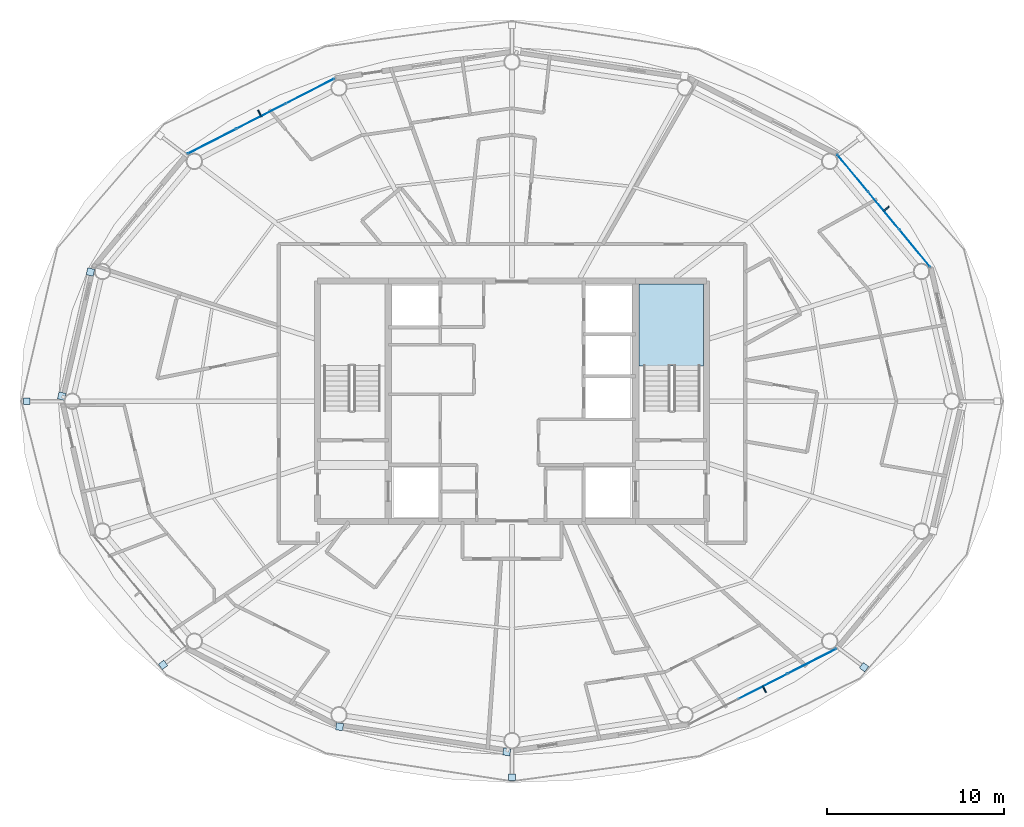
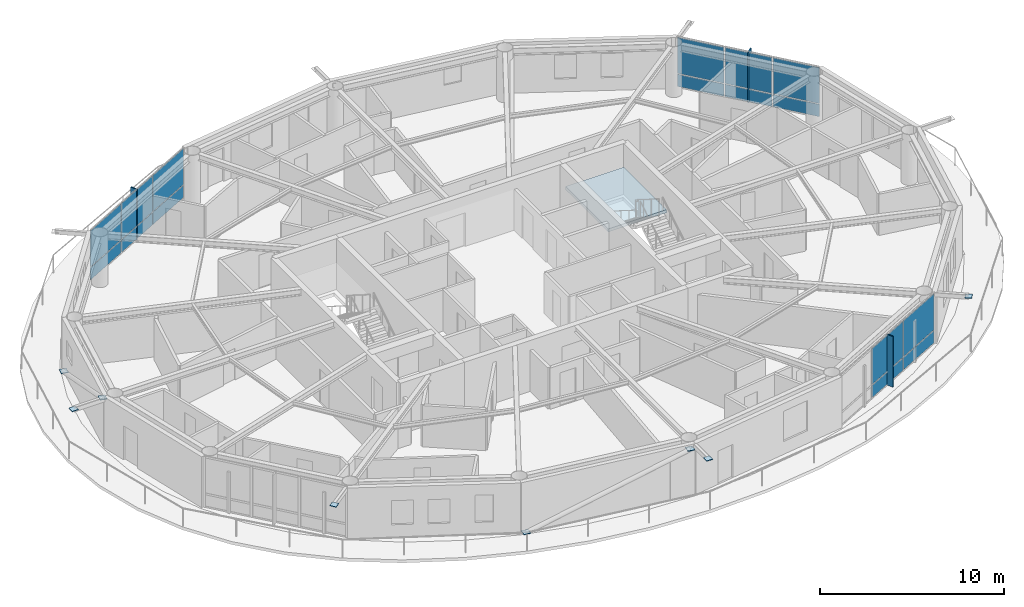
# One storey, part 14 of 22: 27 plates, 1 slab, 4 elements without a shape of their own.
"""IFC4 building model written with IfcOpenShell, lengths in metres."""

from ifc_helpers import new_model, si_unit, direction, frame, origin, origin_2d, place, context, subcontext, project, spatial, polyline, rectangle, outline, extrude, material, layer, layer_set, type_object, element, aggregate, save


model = new_model("IFC4")

# Units and contexts
model_context = context("Model", 3, precision=1e-05, world=origin(), true_north=direction((0.0, 1.0)))
body_context = subcontext(model_context, "Body", "Model", "MODEL_VIEW")
ifc_project = project(units=[si_unit("LENGTHUNIT", "METRE"), si_unit("AREAUNIT", "SQUARE_METRE"), si_unit("VOLUMEUNIT", "CUBIC_METRE"), si_unit("PLANEANGLEUNIT", "RADIAN"), si_unit("MASSUNIT", "GRAM", prefix="KILO")], contexts=[model_context])

# Site, building, storey
site_placement = place(None, origin())
site = spatial("IfcSite", under=ifc_project, at=site_placement, CompositionType="ELEMENT")
building_placement = place(site_placement, origin())
building = spatial("IfcBuilding", under=site, at=building_placement, Name="Sarneth Arch Tower", CompositionType="ELEMENT")
storey_placement = place(building_placement, frame((0.0, 0.0, 294.60009765625)))
storey = spatial("IfcBuildingStorey", under=building, at=storey_placement, Name="L76", CompositionType="ELEMENT", Elevation=294.60009765625)

# Curtain wall, plates
ifc_material_1 = material(Name="Anodised aluminium Type AA25 and solar-control low-e laminated IGU", Category="aluminium")
ifc_layer_1 = layer(ifc_material_1, 0.179931640625)
ifc_layer_set_1 = layer_set([ifc_layer_1], Name="Anodised aluminium Type AA25 and solar-control low-e laminated IGU")
curtain_wall_type = type_object("IfcCurtainWallType", Name="CW-RES-HIGH", PredefinedType="NOTDEFINED", material=ifc_layer_set_1)
curtain_wall_1_placement = place(storey_placement, origin())
curtain_wall_1 = element("IfcCurtainWall", 1, at=curtain_wall_1_placement, inside=storey, type_object=curtain_wall_type, Name="L76 Unitised curtain wall facet 02", PredefinedType="NOTDEFINED")
ifc_material_2 = material(Name="Solar-control low-e laminated IGU", Category="glass")
ifc_layer_2 = layer(ifc_material_2, 0.028076171875)
ifc_layer_set_2 = layer_set([ifc_layer_2], Name="Solar-control low-e laminated IGU")
plate_type_1 = type_object("IfcPlateType", Name="CW-PANEL", PredefinedType="CURTAIN_PANEL", material=ifc_layer_set_2)
plate_1_placement = place(storey_placement, frame((70.799072265625, 50.650634765625, 0.059814453125), z_axis=(0.0, 0.0, 1.0), x_axis=(-0.637610094184, 0.770359245933, 0.0)))
plate_1 = element("IfcPlate", 2, at=plate_1_placement, type_object=plate_type_1, Name="Curtain wall glazed vision pane CW-L76-F02/P00-00", PredefinedType="CURTAIN_PANEL", context=body_context, shape_type="SweptSolid", body=[
    extrude(rectangle(XDim=2.686767578125, YDim=0.028076171875, at=origin_2d()), origin(), (0.0, 0.0, 1.0), 0.81005859375),
])
plate_2_placement = place(storey_placement, frame((70.799072265625, 50.650634765625, 0.929931640625), z_axis=(0.0, 0.0, 1.0), x_axis=(-0.637610094184, 0.770359245933, 0.0)))
plate_2 = element("IfcPlate", 3, at=plate_2_placement, type_object=plate_type_1, Name="Curtain wall glazed vision pane CW-L76-F02/P00-01", PredefinedType="CURTAIN_PANEL", context=body_context, shape_type="SweptSolid", body=[
    extrude(rectangle(XDim=2.686767578125, YDim=0.028076171875, at=origin_2d()), origin(), (0.0, 0.0, 1.0), 2.3798828125),
])
plate_3_placement = place(storey_placement, frame((69.0380859375, 52.778076171875, 0.059814453125), z_axis=(0.0, 0.0, 1.0), x_axis=(-0.637610094184, 0.770359245933, 0.0)))
plate_3 = element("IfcPlate", 4, at=plate_3_placement, type_object=plate_type_1, Name="Curtain wall glazed vision pane CW-L76-F02/P01-00", PredefinedType="CURTAIN_PANEL", context=body_context, shape_type="SweptSolid", body=[
    extrude(rectangle(XDim=2.716552734375, YDim=0.028076171875, at=origin_2d()), origin(), (0.0, 0.0, 1.0), 0.81005859375),
])
plate_4_placement = place(storey_placement, frame((69.0380859375, 52.778076171875, 0.929931640625), z_axis=(0.0, 0.0, 1.0), x_axis=(-0.637610094184, 0.770359245933, 0.0)))
plate_4 = element("IfcPlate", 5, at=plate_4_placement, type_object=plate_type_1, Name="Curtain wall glazed vision pane CW-L76-F02/P01-01", PredefinedType="CURTAIN_PANEL", context=body_context, shape_type="SweptSolid", body=[
    extrude(rectangle(XDim=2.716552734375, YDim=0.028076171875, at=origin_2d()), origin(), (0.0, 0.0, 1.0), 2.3798828125),
])
plate_5_placement = place(storey_placement, frame((67.27734375, 54.905517578125, 0.059814453125), z_axis=(0.0, 0.0, 1.0), x_axis=(-0.637610094184, 0.770359245933, 0.0)))
plate_5 = element("IfcPlate", 6, at=plate_5_placement, type_object=plate_type_1, Name="Curtain wall glazed vision pane CW-L76-F02/P02-00", PredefinedType="CURTAIN_PANEL", context=body_context, shape_type="SweptSolid", body=[
    extrude(rectangle(XDim=2.686767578125, YDim=0.028076171875, at=origin_2d()), origin(), (0.0, 0.0, 1.0), 0.81005859375),
])
plate_6_placement = place(storey_placement, frame((67.27734375, 54.905517578125, 0.929931640625), z_axis=(0.0, 0.0, 1.0), x_axis=(-0.637610094184, 0.770359245933, 0.0)))
plate_6 = element("IfcPlate", 7, at=plate_6_placement, type_object=plate_type_1, Name="Curtain wall glazed vision pane CW-L76-F02/P02-01", PredefinedType="CURTAIN_PANEL", context=body_context, shape_type="SweptSolid", body=[
    extrude(rectangle(XDim=2.686767578125, YDim=0.028076171875, at=origin_2d()), origin(), (0.0, 0.0, 1.0), 2.3798828125),
])
aggregate(curtain_wall_1, [plate_1, plate_2, plate_3, plate_4, plate_5, plate_6])

curtain_wall_2_placement = place(storey_placement, origin())
curtain_wall_2 = element("IfcCurtainWall", 8, at=curtain_wall_2_placement, inside=storey, type_object=curtain_wall_type, Name="L76 Unitised curtain wall facet 06", PredefinedType="NOTDEFINED")
plate_7_placement = place(storey_placement, frame((36.5791015625, 59.552978515625, 0.059814453125), z_axis=(0.0, 0.0, 1.0), x_axis=(-0.890009540525, -0.455941901753, 0.0)))
plate_7 = element("IfcPlate", 9, at=plate_7_placement, type_object=plate_type_1, Name="Curtain wall glazed vision pane CW-L76-F06/P00-00", PredefinedType="CURTAIN_PANEL", context=body_context, shape_type="SweptSolid", body=[
    extrude(rectangle(XDim=3.044677734375, YDim=0.028076171875, at=origin_2d()), origin(), (0.0, 0.0, 1.0), 0.81005859375),
])
plate_8_placement = place(storey_placement, frame((36.5791015625, 59.552978515625, 0.929931640625), z_axis=(0.0, 0.0, 1.0), x_axis=(-0.890009540525, -0.455941901753, 0.0)))
plate_8 = element("IfcPlate", 10, at=plate_8_placement, type_object=plate_type_1, Name="Curtain wall glazed vision pane CW-L76-F06/P00-01", PredefinedType="CURTAIN_PANEL", context=body_context, shape_type="SweptSolid", body=[
    extrude(rectangle(XDim=3.044677734375, YDim=0.028076171875, at=origin_2d()), origin(), (0.0, 0.0, 1.0), 2.3798828125),
])
plate_9_placement = place(storey_placement, frame((33.802490234375, 58.13037109375, 0.059814453125), z_axis=(0.0, 0.0, 1.0), x_axis=(-0.890009540525, -0.455941901753, 0.0)))
plate_9 = element("IfcPlate", 11, at=plate_9_placement, type_object=plate_type_1, Name="Curtain wall glazed vision pane CW-L76-F06/P01-00", PredefinedType="CURTAIN_PANEL", context=body_context, shape_type="SweptSolid", body=[
    extrude(rectangle(XDim=3.07470703125, YDim=0.028076171875, at=origin_2d()), origin(), (0.0, 0.0, 1.0), 0.81005859375),
])
plate_10_placement = place(storey_placement, frame((33.802490234375, 58.13037109375, 0.929931640625), z_axis=(0.0, 0.0, 1.0), x_axis=(-0.890009540525, -0.455941901753, 0.0)))
plate_10 = element("IfcPlate", 12, at=plate_10_placement, type_object=plate_type_1, Name="Curtain wall glazed vision pane CW-L76-F06/P01-01", PredefinedType="CURTAIN_PANEL", context=body_context, shape_type="SweptSolid", body=[
    extrude(rectangle(XDim=3.07470703125, YDim=0.028076171875, at=origin_2d()), origin(), (0.0, 0.0, 1.0), 2.3798828125),
])
plate_11_placement = place(storey_placement, frame((31.02587890625, 56.7080078125, 0.059814453125), z_axis=(0.0, 0.0, 1.0), x_axis=(-0.890009540525, -0.455941901753, 0.0)))
plate_11 = element("IfcPlate", 13, at=plate_11_placement, type_object=plate_type_1, Name="Curtain wall glazed vision pane CW-L76-F06/P02-00", PredefinedType="CURTAIN_PANEL", context=body_context, shape_type="SweptSolid", body=[
    extrude(rectangle(XDim=3.044677734375, YDim=0.028076171875, at=origin_2d()), origin(), (0.0, 0.0, 1.0), 0.81005859375),
])
plate_12_placement = place(storey_placement, frame((31.02587890625, 56.7080078125, 0.929931640625), z_axis=(0.0, 0.0, 1.0), x_axis=(-0.890009540525, -0.455941901753, 0.0)))
plate_12 = element("IfcPlate", 14, at=plate_12_placement, type_object=plate_type_1, Name="Curtain wall glazed vision pane CW-L76-F06/P02-01", PredefinedType="CURTAIN_PANEL", context=body_context, shape_type="SweptSolid", body=[
    extrude(rectangle(XDim=3.044677734375, YDim=0.028076171875, at=origin_2d()), origin(), (0.0, 0.0, 1.0), 2.3798828125),
])
aggregate(curtain_wall_2, [plate_7, plate_8, plate_9, plate_10, plate_11, plate_12])

curtain_wall_3_placement = place(storey_placement, origin())
curtain_wall_3 = element("IfcCurtainWall", 15, at=curtain_wall_3_placement, inside=storey, type_object=curtain_wall_type, Name="L76 Unitised curtain wall facet 14", PredefinedType="NOTDEFINED")
plate_13_placement = place(storey_placement, frame((62.197509765625, 25.86962890625, 0.059814453125), z_axis=(0.0, 0.0, 1.0), x_axis=(0.890009540525, 0.455941901753, 0.0)))
plate_13 = element("IfcPlate", 16, at=plate_13_placement, type_object=plate_type_1, Name="Curtain wall glazed vision pane CW-L76-F14/P01-00", PredefinedType="CURTAIN_PANEL", context=body_context, shape_type="SweptSolid", body=[
    extrude(rectangle(XDim=3.07470703125, YDim=0.028076171875, at=origin_2d()), origin(), (0.0, 0.0, 1.0), 0.81005859375),
])
plate_14_placement = place(storey_placement, frame((62.197509765625, 25.86962890625, 0.929931640625), z_axis=(0.0, 0.0, 1.0), x_axis=(0.890009540525, 0.455941901753, 0.0)))
plate_14 = element("IfcPlate", 17, at=plate_14_placement, type_object=plate_type_1, Name="Curtain wall glazed vision pane CW-L76-F14/P01-01", PredefinedType="CURTAIN_PANEL", context=body_context, shape_type="SweptSolid", body=[
    extrude(rectangle(XDim=3.07470703125, YDim=0.028076171875, at=origin_2d()), origin(), (0.0, 0.0, 1.0), 2.3798828125),
])
plate_15_placement = place(storey_placement, frame((64.97412109375, 27.2919921875, 0.059814453125), z_axis=(0.0, 0.0, 1.0), x_axis=(0.890009540525, 0.455941901753, 0.0)))
plate_15 = element("IfcPlate", 18, at=plate_15_placement, type_object=plate_type_1, Name="Curtain wall glazed vision pane CW-L76-F14/P02-00", PredefinedType="CURTAIN_PANEL", context=body_context, shape_type="SweptSolid", body=[
    extrude(rectangle(XDim=3.044677734375, YDim=0.028076171875, at=origin_2d()), origin(), (0.0, 0.0, 1.0), 0.81005859375),
])
plate_16_placement = place(storey_placement, frame((64.97412109375, 27.2919921875, 0.929931640625), z_axis=(0.0, 0.0, 1.0), x_axis=(0.890009540525, 0.455941901753, 0.0)))
plate_16 = element("IfcPlate", 19, at=plate_16_placement, type_object=plate_type_1, Name="Curtain wall glazed vision pane CW-L76-F14/P02-01", PredefinedType="CURTAIN_PANEL", context=body_context, shape_type="SweptSolid", body=[
    extrude(rectangle(XDim=3.044677734375, YDim=0.028076171875, at=origin_2d()), origin(), (0.0, 0.0, 1.0), 2.3798828125),
])
aggregate(curtain_wall_3, [plate_13, plate_14, plate_15, plate_16])

# Plates
ifc_material_3 = material(Name="Steel S355", Category="steel")
ifc_layer_3 = layer(ifc_material_3, 0.035888671875)
ifc_layer_set_3 = layer_set([ifc_layer_3], Name="Steel S355")
plate_type_2 = type_object("IfcPlateType", Name="PLT-GUSSET-30", PredefinedType="SHEET", material=ifc_layer_set_3)
for number, where, z_axis, x_axis, name in (
    (20, (24.148193359375, 49.3154296875, 0.001953125), (0.0, 0.0, 1.0), (-0.225461202458, -0.974252147129, 0.0), "Steel end cap plate GP-1"),
    (21, (22.5234375, 42.292236328125, 3.07421875), (0.0, 0.0, 1.0), (-0.225461202458, -0.974252147129, 0.0), "Steel end cap plate GP-1"),
):
    element("IfcPlate", number, at=place(storey_placement, frame(where, z_axis=z_axis, x_axis=x_axis)), inside=storey, type_object=plate_type_2, Name=name, PredefinedType="SHEET", context=body_context, shape_type="SweptSolid", body=[
        extrude(rectangle(XDim=0.404052734375, YDim=0.404052734375, at=origin_2d()), origin(), (0.0, 0.0, 1.0), 0.035888671875),
    ])
for number, where, z_axis, x_axis, name in (
    (22, (20.54052734375, 42.0, 3.19189453125), (0.0, 0.0, 1.0), (-1.0, 0.0, 0.0), "Steel end cap plate GP-1"),
    (23, (28.2587890625, 27.089599609375, 3.19189453125), (0.0, 0.0, 1.0), (-0.798004853043, -0.602651022168, 0.0), "Steel end cap plate GP-1"),
):
    element("IfcPlate", number, at=place(storey_placement, frame(where, z_axis=z_axis, x_axis=x_axis)), inside=storey, type_object=plate_type_2, Name=name, PredefinedType="SHEET", context=body_context, shape_type="SweptSolid", body=[
        extrude(rectangle(XDim=0.3798828125, YDim=0.3798828125, at=origin_2d()), origin(), (0.0, 0.0, 1.0), 0.035888671875),
    ])
for number, where, z_axis, x_axis, name in (
    (24, (38.245849609375, 23.588623046875, 0.001953125), (0.0, 0.0, 1.0), (0.988860535448, -0.148845024885, 0.0), "Steel end cap plate GP-1"),
    (25, (47.703369140625, 22.16455078125, 3.07421875), (0.0, 0.0, 1.0), (0.988860535448, -0.148845024885, 0.0), "Steel end cap plate GP-1"),
):
    element("IfcPlate", number, at=place(storey_placement, frame(where, z_axis=z_axis, x_axis=x_axis)), inside=storey, type_object=plate_type_2, Name=name, PredefinedType="SHEET", context=body_context, shape_type="SweptSolid", body=[
        extrude(rectangle(XDim=0.404052734375, YDim=0.404052734375, at=origin_2d()), origin(), (0.0, 0.0, 1.0), 0.035888671875),
    ])
for number, where, z_axis, x_axis, name in (
    (26, (48.0, 20.726318359375, 3.19189453125), (0.0, 0.0, 1.0), (0.0, -1.0, 0.0), "Steel end cap plate GP-1"),
    (27, (67.919677734375, 26.954833984375, 3.19189453125), (0.0, 0.0, 1.0), (0.798004853043, -0.602651022168, 0.0), "Steel end cap plate GP-1"),
):
    element("IfcPlate", number, at=place(storey_placement, frame(where, z_axis=z_axis, x_axis=x_axis)), inside=storey, type_object=plate_type_2, Name=name, PredefinedType="SHEET", context=body_context, shape_type="SweptSolid", body=[
        extrude(rectangle(XDim=0.3798828125, YDim=0.3798828125, at=origin_2d()), origin(), (0.0, 0.0, 1.0), 0.035888671875),
    ])
ifc_material_4 = material(Name="Extruded glazed terracotta baguette fin on Aluminium 6063-T6 carrier", Category="masonry")
ifc_layer_4 = layer(ifc_material_4, 0.080078125)
ifc_layer_set_4 = layer_set([ifc_layer_4], Name="Extruded glazed terracotta baguette fin on Aluminium 6063-T6 carrier")
plate_type_3 = type_object("IfcPlateType", Name="SHADE-TERRA-FIN", PredefinedType="SHEET", material=ifc_layer_set_4)
for number, where, z_axis, x_axis, name in (
    (28, (69.169189453125, 52.886474609375, 0.009765625), (0.0, 0.0, 1.0), (0.770401979567, 0.63755845997, 0.0), "L76 Terracotta vertical shading fin 02"),
    (29, (33.724853515625, 58.28173828125, 0.009765625), (0.0, 0.0, 1.0), (-0.456010959102, 0.889974159838, 0.0), "L76 Terracotta vertical shading fin 06"),
    (30, (62.275146484375, 25.71826171875, 0.009765625), (0.0, 0.0, 1.0), (0.456010959102, -0.889974159838, 0.0), "L76 Terracotta vertical shading fin 14"),
):
    element("IfcPlate", number, at=place(storey_placement, frame(where, z_axis=z_axis, x_axis=x_axis)), inside=storey, type_object=plate_type_3, Name=name, PredefinedType="SHEET", context=body_context, shape_type="SweptSolid", body=[
        extrude(rectangle(XDim=0.419921875, YDim=0.080078125, at=origin_2d()), origin(), (0.0, 0.0, 1.0), 3.35009765625),
    ])

# Stair, slab
ifc_material_5 = material(Name="Concrete C50/60", Category="concrete")
stair_type = type_object("IfcStairType", Name="STAIR-CORE-RC", PredefinedType="HALF_TURN_STAIR", material=ifc_material_5)
stair_placement = place(storey_placement, origin())
stair = element("IfcStair", 31, at=stair_placement, inside=storey, type_object=stair_type, Name="L76 Core Exit Stair 2", PredefinedType="HALF_TURN_STAIR")
ifc_material_6 = material(Name="Concrete C50/60", Category="concrete")
ifc_layer_5 = layer(ifc_material_6, 0.199951171875)
ifc_layer_set_5 = layer_set([ifc_layer_5], Name="Concrete C50/60")
slab_type = type_object("IfcSlabType", Name="SLAB-LANDING-200", PredefinedType="LANDING", material=ifc_layer_set_5)
slab_placement = place(storey_placement, frame((0.0, 0.0, 1.599853515625)))
slab = element("IfcSlab", 32, at=slab_placement, type_object=slab_type, Name="ST-2 landing 1", PredefinedType="LANDING", context=body_context, shape_type="SweptSolid", body=[
    extrude(outline(polyline([(55.175048828125, 43.985107421875), (58.824951171875, 43.985107421875), (58.824951171875, 48.625), (55.175048828125, 48.625), (55.175048828125, 43.985107421875)])), origin(), (0.0, 0.0, 1.0), 0.199951171875),
])
aggregate(stair, [slab])

save(model, "model.ifc")
